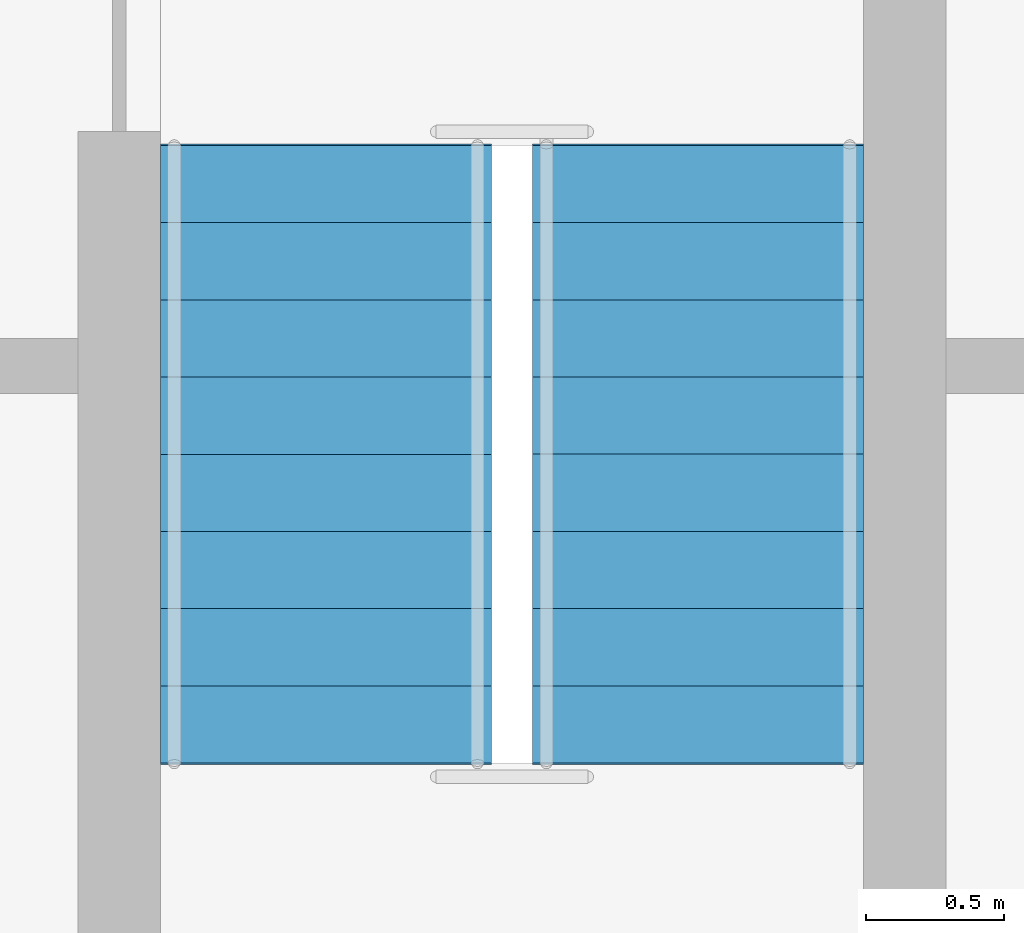
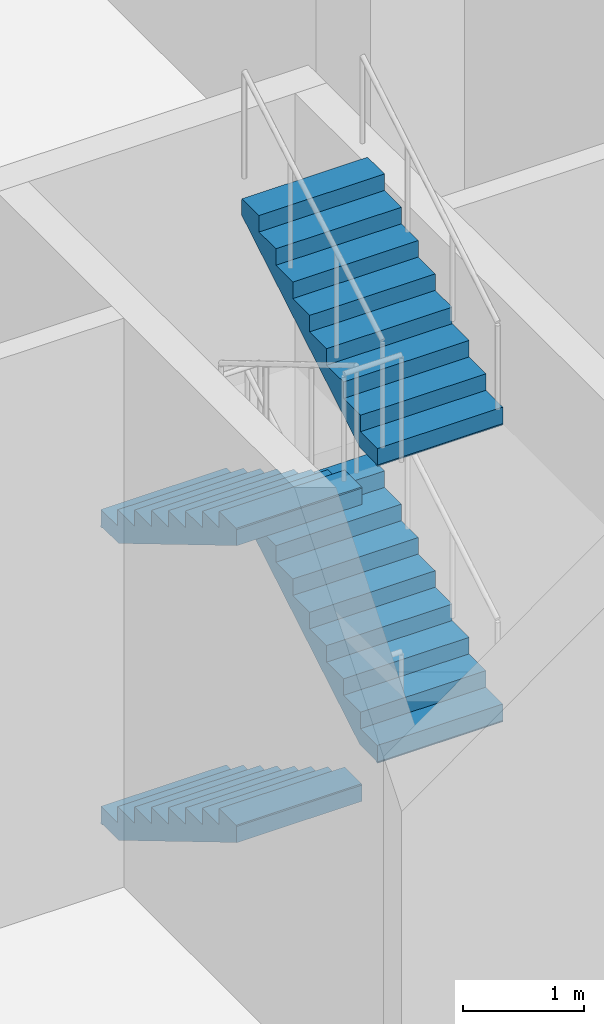
# One storey, part 20 of 24: 4 stair flights, 1 element without a shape of its own.
"""IFC4 building model written with IfcOpenShell, lengths in metres."""

from ifc_helpers import new_model, si_unit, direction, frame, origin, place, context, subcontext, project, spatial, polyline, outline, extrude, material, type_object, element, aggregate, save


model = new_model("IFC4")

# Units and contexts
model_context = context("Model", 3, precision=1e-05, world=origin(), true_north=direction((0.0, 1.0)))
body_context = subcontext(model_context, "Body", "Model", "MODEL_VIEW")
ifc_project = project(units=[si_unit("LENGTHUNIT", "METRE"), si_unit("AREAUNIT", "SQUARE_METRE"), si_unit("VOLUMEUNIT", "CUBIC_METRE"), si_unit("PLANEANGLEUNIT", "RADIAN"), si_unit("MASSUNIT", "GRAM", prefix="KILO")], contexts=[model_context])

# Site, building, storey
site_placement = place(None, origin())
site = spatial("IfcSite", under=ifc_project, at=site_placement, CompositionType="ELEMENT")
building_placement = place(site_placement, origin())
building = spatial("IfcBuilding", under=site, at=building_placement, Name="Plateau Cross Towers", CompositionType="ELEMENT")
storey_placement = place(building_placement, frame((0.0, 0.0, 72.300048828125)))
storey = spatial("IfcBuildingStorey", under=building, at=storey_placement, Name="L18", CompositionType="ELEMENT", Elevation=72.300048828125)

# Stair, stair flights
ifc_material = material(Name="Concrete C40/50", Category="concrete")
stair_type = type_object("IfcStairType", Name="ST-TWR", PredefinedType="HALF_TURN_STAIR", material=ifc_material)
stair_placement = place(storey_placement, origin())
stair = element("IfcStair", 1, at=stair_placement, inside=storey, type_object=stair_type, Name="L18 Protected Exit Stair SB-3", PredefinedType="HALF_TURN_STAIR")
stair_flight_type = type_object("IfcStairFlightType", Name="SFL-RC", PredefinedType="STRAIGHT", material=ifc_material)
stair_flight_1_placement = place(storey_placement, frame((96.60009765625, 10.5, 0.0), z_axis=(0.0, 0.0, 1.0), x_axis=(0.0, -1.0, 0.0)))
stair_flight_1 = element("IfcStairFlight", 2, at=stair_flight_1_placement, type_object=stair_flight_type, Name="SB-3 flight 1", NumberOfRisers=9, NumberOfTreads=8, PredefinedType="STRAIGHT", RiserHeight=0.166666667, TreadLength=0.28, context=body_context, shape_type="SweptSolid", body=[
    extrude(outline(polyline([(-0.0048828125, -0.010009765625), (-0.0048828125, 0.0), (0.0, 0.0), (0.0, 0.166748046875), (0.280029296875, 0.166748046875), (0.280029296875, 0.333251953125), (0.56005859375, 0.333251953125), (0.56005859375, 0.5), (0.840087890625, 0.5), (0.840087890625, 0.666748046875), (1.1201171875, 0.666748046875), (1.1201171875, 0.833251953125), (1.39990234375, 0.833251953125), (1.39990234375, 1.0), (1.679931640625, 1.0), (1.679931640625, 1.166748046875), (1.9599609375, 1.166748046875), (1.9599609375, 1.333251953125), (2.239990234375, 1.333251953125), (2.2451171875, 1.3232421875), (2.2451171875, 1.158935546875), (2.239990234375, 1.158935546875), (0.29296875, 0.0), (0.02001953125, 0.0), (0.02001953125, -0.010009765625), (-0.0048828125, -0.010009765625)])), frame((0.0, 0.60009765625, 0.0), z_axis=(0.0, -1.0, 0.0), x_axis=(1.0, 0.0, 0.0)), (0.0, 0.0, 1.0), 1.199951171875),
])
stair_flight_2_placement = place(storey_placement, frame((97.949951171875, 8.260009765625, 1.5), z_axis=(0.0, 0.0, 1.0), x_axis=(0.0, 1.0, 0.0)))
stair_flight_2 = element("IfcStairFlight", 3, at=stair_flight_2_placement, type_object=stair_flight_type, Name="SB-3 flight 2", NumberOfRisers=9, NumberOfTreads=8, PredefinedType="STRAIGHT", RiserHeight=0.166666667, TreadLength=0.28, context=body_context, shape_type="SweptSolid", body=[
    extrude(outline(polyline([(-0.0048828125, -0.010009765625), (-0.0048828125, 0.0), (0.0, 0.0), (0.0, 0.166748046875), (0.280029296875, 0.166748046875), (0.280029296875, 0.333251953125), (0.56005859375, 0.333251953125), (0.56005859375, 0.5), (0.840087890625, 0.5), (0.840087890625, 0.666748046875), (1.1201171875, 0.666748046875), (1.1201171875, 0.833251953125), (1.39990234375, 0.833251953125), (1.39990234375, 1.0), (1.679931640625, 1.0), (1.679931640625, 1.166748046875), (1.9599609375, 1.166748046875), (1.9599609375, 1.333251953125), (2.239990234375, 1.333251953125), (2.2451171875, 1.3232421875), (2.2451171875, 1.158935546875), (2.239990234375, 1.158935546875), (0.29296875, 0.0), (0.02001953125, 0.0), (0.02001953125, -0.010009765625), (-0.0048828125, -0.010009765625)])), frame((0.0, 0.60009765625, 0.0), z_axis=(0.0, -1.0, 0.0), x_axis=(1.0, 0.0, 0.0)), (0.0, 0.0, 1.0), 1.199951171875),
])
stair_flight_3_placement = place(storey_placement, frame((96.60009765625, 10.5, 3.0), z_axis=(0.0, 0.0, 1.0), x_axis=(0.0, -1.0, 0.0)))
stair_flight_3 = element("IfcStairFlight", 4, at=stair_flight_3_placement, type_object=stair_flight_type, Name="SB-3 flight 3", NumberOfRisers=9, NumberOfTreads=8, PredefinedType="STRAIGHT", RiserHeight=0.166666667, TreadLength=0.28, context=body_context, shape_type="SweptSolid", body=[
    extrude(outline(polyline([(-0.0048828125, -0.010009765625), (-0.0048828125, 0.0), (0.0, 0.0), (0.0, 0.166748046875), (0.280029296875, 0.166748046875), (0.280029296875, 0.333251953125), (0.56005859375, 0.333251953125), (0.56005859375, 0.5), (0.840087890625, 0.5), (0.840087890625, 0.666748046875), (1.1201171875, 0.666748046875), (1.1201171875, 0.833251953125), (1.39990234375, 0.833251953125), (1.39990234375, 1.0), (1.679931640625, 1.0), (1.679931640625, 1.166748046875), (1.9599609375, 1.166748046875), (1.9599609375, 1.333251953125), (2.239990234375, 1.333251953125), (2.2451171875, 1.3232421875), (2.2451171875, 1.158935546875), (2.239990234375, 1.158935546875), (0.29296875, 0.0), (0.02001953125, 0.0), (0.02001953125, -0.010009765625), (-0.0048828125, -0.010009765625)])), frame((0.0, 0.60009765625, 0.0), z_axis=(0.0, -1.0, 0.0), x_axis=(1.0, 0.0, 0.0)), (0.0, 0.0, 1.0), 1.199951171875),
])
stair_flight_4_placement = place(storey_placement, frame((97.949951171875, 8.260009765625, 4.5), z_axis=(0.0, 0.0, 1.0), x_axis=(0.0, 1.0, 0.0)))
stair_flight_4 = element("IfcStairFlight", 5, at=stair_flight_4_placement, type_object=stair_flight_type, Name="SB-3 flight 4", NumberOfRisers=9, NumberOfTreads=8, PredefinedType="STRAIGHT", RiserHeight=0.166666667, TreadLength=0.28, context=body_context, shape_type="SweptSolid", body=[
    extrude(outline(polyline([(-0.0048828125, -0.010009765625), (-0.0048828125, 0.0), (0.0, 0.0), (0.0, 0.166748046875), (0.280029296875, 0.166748046875), (0.280029296875, 0.333251953125), (0.56005859375, 0.333251953125), (0.56005859375, 0.5), (0.840087890625, 0.5), (0.840087890625, 0.666748046875), (1.1201171875, 0.666748046875), (1.1201171875, 0.833251953125), (1.39990234375, 0.833251953125), (1.39990234375, 1.0), (1.679931640625, 1.0), (1.679931640625, 1.166748046875), (1.9599609375, 1.166748046875), (1.9599609375, 1.333251953125), (2.239990234375, 1.333251953125), (2.2451171875, 1.3232421875), (2.2451171875, 1.158935546875), (2.239990234375, 1.158935546875), (0.29296875, 0.0), (0.02001953125, 0.0), (0.02001953125, -0.010009765625), (-0.0048828125, -0.010009765625)])), frame((0.0, 0.60009765625, 0.0), z_axis=(0.0, -1.0, 0.0), x_axis=(1.0, 0.0, 0.0)), (0.0, 0.0, 1.0), 1.199951171875),
])
aggregate(stair, [stair_flight_1, stair_flight_2, stair_flight_3, stair_flight_4])

save(model, "model.ifc")
